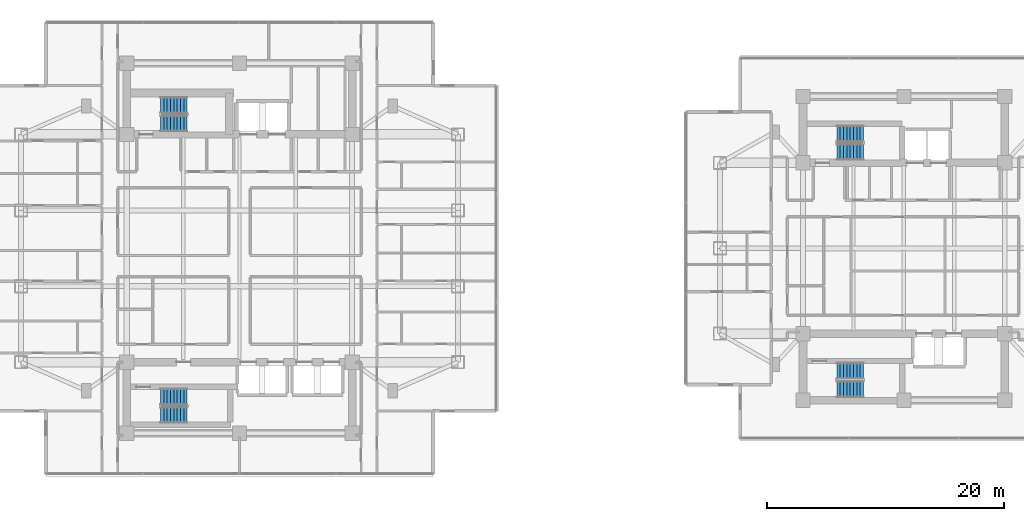
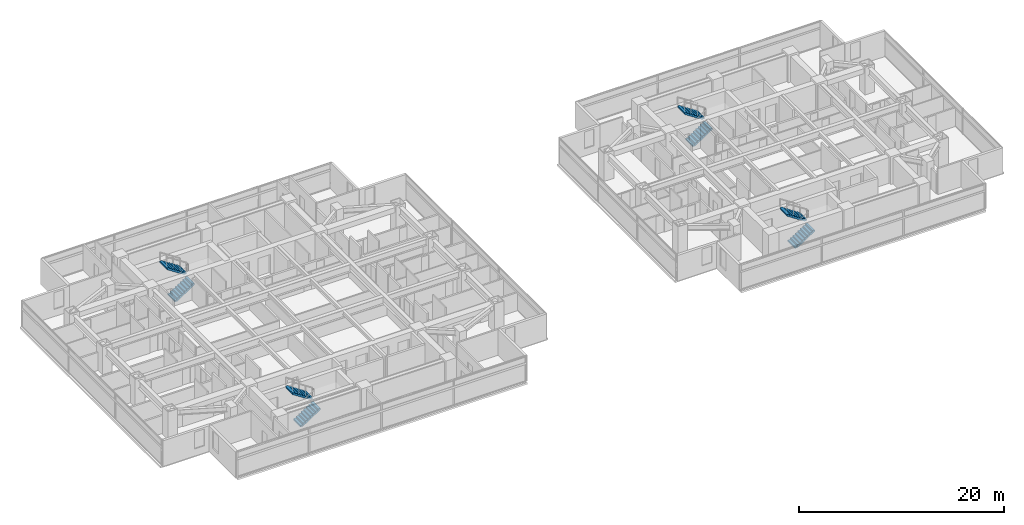
# One storey, part 19 of 25: 8 stair flights, 4 elements without a shape of their own.
"""IFC4 building model written with IfcOpenShell, lengths in metres."""

from ifc_helpers import new_model, si_unit, direction, frame, origin, place, context, subcontext, project, spatial, polyline, outline, extrude, material, type_object, element, aggregate, save


model = new_model("IFC4")

# Units and contexts
model_context = context("Model", 3, precision=1e-05, world=origin(), true_north=direction((0.0, 1.0)))
body_context = subcontext(model_context, "Body", "Model", "MODEL_VIEW")
ifc_project = project(units=[si_unit("LENGTHUNIT", "METRE"), si_unit("AREAUNIT", "SQUARE_METRE"), si_unit("VOLUMEUNIT", "CUBIC_METRE"), si_unit("PLANEANGLEUNIT", "RADIAN"), si_unit("MASSUNIT", "GRAM", prefix="KILO")], contexts=[model_context])

# Site, building, storey
site_placement = place(None, origin())
site = spatial("IfcSite", under=ifc_project, at=site_placement, CompositionType="ELEMENT")
building_placement = place(site_placement, origin())
building = spatial("IfcBuilding", under=site, at=building_placement, Name="Mirazonda Arch Towers", CompositionType="ELEMENT")
storey_placement = place(building_placement, frame((0.0, 0.0, 104.89990234375)))
storey = spatial("IfcBuildingStorey", under=building, at=storey_placement, Name="L29", CompositionType="ELEMENT", Elevation=104.89990234375)

# Stair, stair flights
ifc_material = material(Name="Concrete C40/50", Category="concrete")
stair_type = type_object("IfcStairType", Name="STAIR-CORE-1400", PredefinedType="HALF_TURN_STAIR", material=ifc_material)
stair_1_placement = place(storey_placement, origin())
stair_1 = element("IfcStair", 1, at=stair_1_placement, inside=storey, type_object=stair_type, Name="L29 Protected Exit Stair ST-T1N", PredefinedType="HALF_TURN_STAIR")
stair_flight_type = type_object("IfcStairFlightType", Name="FLIGHT-1400", PredefinedType="STRAIGHT", material=ifc_material)
stair_flight_1_placement = place(storey_placement, frame((13.85009765625, 38.52001953125, 0.0), z_axis=(0.0, 0.0, 1.0), x_axis=(1.0, 0.0, 0.0)))
stair_flight_1 = element("IfcStairFlight", 2, at=stair_flight_1_placement, type_object=stair_flight_type, Name="ST-T1N flight 1", NumberOfRisers=9, NumberOfTreads=8, PredefinedType="STRAIGHT", RiserHeight=0.183333333, TreadLength=0.28, context=body_context, shape_type="SweptSolid", body=[
    extrude(outline(polyline([(0.0, 0.0), (0.0, 0.183349609375), (0.280029296875, 0.183349609375), (0.280029296875, 0.36669921875), (0.56005859375, 0.36669921875), (0.56005859375, 0.550048828125), (0.840087890625, 0.550048828125), (0.840087890625, 0.7333984375), (1.1201171875, 0.7333984375), (1.1201171875, 0.916748046875), (1.39990234375, 0.916748046875), (1.39990234375, 1.10009765625), (1.679931640625, 1.10009765625), (1.679931640625, 1.283447265625), (1.9599609375, 1.283447265625), (1.9599609375, 1.466552734375), (2.239990234375, 1.466552734375), (2.239990234375, 1.64990234375), (2.239990234375, 1.275634765625), (0.2919921875, 0.0), (0.0, 0.0)])), frame((0.0, 0.699951171875, 0.0), z_axis=(0.0, -1.0, 0.0), x_axis=(1.0, 0.0, 0.0)), (0.0, 0.0, 1.0), 1.39990234375),
])
stair_flight_2_placement = place(storey_placement, frame((16.090087890625, 40.06005859375, 1.650146484375), z_axis=(0.0, 0.0, 1.0), x_axis=(-1.0, 0.0, 0.0)))
stair_flight_2 = element("IfcStairFlight", 3, at=stair_flight_2_placement, type_object=stair_flight_type, Name="ST-T1N flight 2", NumberOfRisers=9, NumberOfTreads=8, PredefinedType="STRAIGHT", RiserHeight=0.183333333, TreadLength=0.28, context=body_context, shape_type="SweptSolid", body=[
    extrude(outline(polyline([(0.0, 0.0), (0.0, 0.183349609375), (0.280029296875, 0.183349609375), (0.280029296875, 0.36669921875), (0.56005859375, 0.36669921875), (0.56005859375, 0.550048828125), (0.840087890625, 0.550048828125), (0.840087890625, 0.7333984375), (1.1201171875, 0.7333984375), (1.1201171875, 0.916748046875), (1.39990234375, 0.916748046875), (1.39990234375, 1.10009765625), (1.679931640625, 1.10009765625), (1.679931640625, 1.283447265625), (1.9599609375, 1.283447265625), (1.9599609375, 1.466552734375), (2.239990234375, 1.466552734375), (2.239990234375, 1.64990234375), (2.239990234375, 1.275634765625), (0.2919921875, 0.0), (0.0, 0.0)])), frame((0.0, 0.699951171875, 0.0), z_axis=(0.0, -1.0, 0.0), x_axis=(1.0, 0.0, 0.0)), (0.0, 0.0, 1.0), 1.39990234375),
])
aggregate(stair_1, [stair_flight_1, stair_flight_2])

stair_2_placement = place(storey_placement, origin())
stair_2 = element("IfcStair", 4, at=stair_2_placement, inside=storey, type_object=stair_type, Name="L29 Protected Exit Stair ST-T1S", PredefinedType="HALF_TURN_STAIR")
stair_flight_3_placement = place(storey_placement, frame((13.85009765625, 13.949951171875, 0.0), z_axis=(0.0, 0.0, 1.0), x_axis=(1.0, 0.0, 0.0)))
stair_flight_3 = element("IfcStairFlight", 5, at=stair_flight_3_placement, type_object=stair_flight_type, Name="ST-T1S flight 1", NumberOfRisers=9, NumberOfTreads=8, PredefinedType="STRAIGHT", RiserHeight=0.183333333, TreadLength=0.28, context=body_context, shape_type="SweptSolid", body=[
    extrude(outline(polyline([(0.0, 0.0), (0.0, 0.183349609375), (0.280029296875, 0.183349609375), (0.280029296875, 0.36669921875), (0.56005859375, 0.36669921875), (0.56005859375, 0.550048828125), (0.840087890625, 0.550048828125), (0.840087890625, 0.7333984375), (1.1201171875, 0.7333984375), (1.1201171875, 0.916748046875), (1.39990234375, 0.916748046875), (1.39990234375, 1.10009765625), (1.679931640625, 1.10009765625), (1.679931640625, 1.283447265625), (1.9599609375, 1.283447265625), (1.9599609375, 1.466552734375), (2.239990234375, 1.466552734375), (2.239990234375, 1.64990234375), (2.239990234375, 1.275634765625), (0.2919921875, 0.0), (0.0, 0.0)])), frame((0.0, 0.699951171875, 0.0), z_axis=(0.0, -1.0, 0.0), x_axis=(1.0, 0.0, 0.0)), (0.0, 0.0, 1.0), 1.39990234375),
])
stair_flight_4_placement = place(storey_placement, frame((16.090087890625, 15.489990234375, 1.650146484375), z_axis=(0.0, 0.0, 1.0), x_axis=(-1.0, 0.0, 0.0)))
stair_flight_4 = element("IfcStairFlight", 6, at=stair_flight_4_placement, type_object=stair_flight_type, Name="ST-T1S flight 2", NumberOfRisers=9, NumberOfTreads=8, PredefinedType="STRAIGHT", RiserHeight=0.183333333, TreadLength=0.28, context=body_context, shape_type="SweptSolid", body=[
    extrude(outline(polyline([(0.0, 0.0), (0.0, 0.183349609375), (0.280029296875, 0.183349609375), (0.280029296875, 0.36669921875), (0.56005859375, 0.36669921875), (0.56005859375, 0.550048828125), (0.840087890625, 0.550048828125), (0.840087890625, 0.7333984375), (1.1201171875, 0.7333984375), (1.1201171875, 0.916748046875), (1.39990234375, 0.916748046875), (1.39990234375, 1.10009765625), (1.679931640625, 1.10009765625), (1.679931640625, 1.283447265625), (1.9599609375, 1.283447265625), (1.9599609375, 1.466552734375), (2.239990234375, 1.466552734375), (2.239990234375, 1.64990234375), (2.239990234375, 1.275634765625), (0.2919921875, 0.0), (0.0, 0.0)])), frame((0.0, 0.699951171875, 0.0), z_axis=(0.0, -1.0, 0.0), x_axis=(1.0, 0.0, 0.0)), (0.0, 0.0, 1.0), 1.39990234375),
])
aggregate(stair_2, [stair_flight_3, stair_flight_4])

stair_3_placement = place(storey_placement, origin())
stair_3 = element("IfcStair", 7, at=stair_3_placement, inside=storey, type_object=stair_type, Name="L29 Protected Exit Stair ST-T2N", PredefinedType="HALF_TURN_STAIR")
stair_flight_5_placement = place(storey_placement, frame((70.85009765625, 36.1201171875, 0.0), z_axis=(0.0, 0.0, 1.0), x_axis=(1.0, 0.0, 0.0)))
stair_flight_5 = element("IfcStairFlight", 8, at=stair_flight_5_placement, type_object=stair_flight_type, Name="ST-T2N flight 1", NumberOfRisers=9, NumberOfTreads=8, PredefinedType="STRAIGHT", RiserHeight=0.183333333, TreadLength=0.28, context=body_context, shape_type="SweptSolid", body=[
    extrude(outline(polyline([(0.0, 0.0), (0.0, 0.183349609375), (0.280029296875, 0.183349609375), (0.280029296875, 0.36669921875), (0.56005859375, 0.36669921875), (0.56005859375, 0.550048828125), (0.840087890625, 0.550048828125), (0.840087890625, 0.7333984375), (1.1201171875, 0.7333984375), (1.1201171875, 0.916748046875), (1.39990234375, 0.916748046875), (1.39990234375, 1.10009765625), (1.679931640625, 1.10009765625), (1.679931640625, 1.283447265625), (1.9599609375, 1.283447265625), (1.9599609375, 1.466552734375), (2.239990234375, 1.466552734375), (2.239990234375, 1.64990234375), (2.239990234375, 1.275634765625), (0.2919921875, 0.0), (0.0, 0.0)])), frame((0.0, 0.699951171875, 0.0), z_axis=(0.0, -1.0, 0.0), x_axis=(1.0, 0.0, 0.0)), (0.0, 0.0, 1.0), 1.39990234375),
])
stair_flight_6_placement = place(storey_placement, frame((73.090087890625, 37.659912109375, 1.650146484375), z_axis=(0.0, 0.0, 1.0), x_axis=(-1.0, 0.0, 0.0)))
stair_flight_6 = element("IfcStairFlight", 9, at=stair_flight_6_placement, type_object=stair_flight_type, Name="ST-T2N flight 2", NumberOfRisers=9, NumberOfTreads=8, PredefinedType="STRAIGHT", RiserHeight=0.183333333, TreadLength=0.28, context=body_context, shape_type="SweptSolid", body=[
    extrude(outline(polyline([(0.0, 0.0), (0.0, 0.183349609375), (0.280029296875, 0.183349609375), (0.280029296875, 0.36669921875), (0.56005859375, 0.36669921875), (0.56005859375, 0.550048828125), (0.840087890625, 0.550048828125), (0.840087890625, 0.7333984375), (1.1201171875, 0.7333984375), (1.1201171875, 0.916748046875), (1.39990234375, 0.916748046875), (1.39990234375, 1.10009765625), (1.679931640625, 1.10009765625), (1.679931640625, 1.283447265625), (1.9599609375, 1.283447265625), (1.9599609375, 1.466552734375), (2.239990234375, 1.466552734375), (2.239990234375, 1.64990234375), (2.239990234375, 1.275634765625), (0.2919921875, 0.0), (0.0, 0.0)])), frame((0.0, 0.699951171875, 0.0), z_axis=(0.0, -1.0, 0.0), x_axis=(1.0, 0.0, 0.0)), (0.0, 0.0, 1.0), 1.39990234375),
])
aggregate(stair_3, [stair_flight_5, stair_flight_6])

stair_4_placement = place(storey_placement, origin())
stair_4 = element("IfcStair", 10, at=stair_4_placement, inside=storey, type_object=stair_type, Name="L29 Protected Exit Stair ST-T2S", PredefinedType="HALF_TURN_STAIR")
stair_flight_7_placement = place(storey_placement, frame((70.85009765625, 16.1201171875, 0.0), z_axis=(0.0, 0.0, 1.0), x_axis=(1.0, 0.0, 0.0)))
stair_flight_7 = element("IfcStairFlight", 11, at=stair_flight_7_placement, type_object=stair_flight_type, Name="ST-T2S flight 1", NumberOfRisers=9, NumberOfTreads=8, PredefinedType="STRAIGHT", RiserHeight=0.183333333, TreadLength=0.28, context=body_context, shape_type="SweptSolid", body=[
    extrude(outline(polyline([(0.0, 0.0), (0.0, 0.183349609375), (0.280029296875, 0.183349609375), (0.280029296875, 0.36669921875), (0.56005859375, 0.36669921875), (0.56005859375, 0.550048828125), (0.840087890625, 0.550048828125), (0.840087890625, 0.7333984375), (1.1201171875, 0.7333984375), (1.1201171875, 0.916748046875), (1.39990234375, 0.916748046875), (1.39990234375, 1.10009765625), (1.679931640625, 1.10009765625), (1.679931640625, 1.283447265625), (1.9599609375, 1.283447265625), (1.9599609375, 1.466552734375), (2.239990234375, 1.466552734375), (2.239990234375, 1.64990234375), (2.239990234375, 1.275634765625), (0.2919921875, 0.0), (0.0, 0.0)])), frame((0.0, 0.699951171875, 0.0), z_axis=(0.0, -1.0, 0.0), x_axis=(1.0, 0.0, 0.0)), (0.0, 0.0, 1.0), 1.39990234375),
])
stair_flight_8_placement = place(storey_placement, frame((73.090087890625, 17.659912109375, 1.650146484375), z_axis=(0.0, 0.0, 1.0), x_axis=(-1.0, 0.0, 0.0)))
stair_flight_8 = element("IfcStairFlight", 12, at=stair_flight_8_placement, type_object=stair_flight_type, Name="ST-T2S flight 2", NumberOfRisers=9, NumberOfTreads=8, PredefinedType="STRAIGHT", RiserHeight=0.183333333, TreadLength=0.28, context=body_context, shape_type="SweptSolid", body=[
    extrude(outline(polyline([(0.0, 0.0), (0.0, 0.183349609375), (0.280029296875, 0.183349609375), (0.280029296875, 0.36669921875), (0.56005859375, 0.36669921875), (0.56005859375, 0.550048828125), (0.840087890625, 0.550048828125), (0.840087890625, 0.7333984375), (1.1201171875, 0.7333984375), (1.1201171875, 0.916748046875), (1.39990234375, 0.916748046875), (1.39990234375, 1.10009765625), (1.679931640625, 1.10009765625), (1.679931640625, 1.283447265625), (1.9599609375, 1.283447265625), (1.9599609375, 1.466552734375), (2.239990234375, 1.466552734375), (2.239990234375, 1.64990234375), (2.239990234375, 1.275634765625), (0.2919921875, 0.0), (0.0, 0.0)])), frame((0.0, 0.699951171875, 0.0), z_axis=(0.0, -1.0, 0.0), x_axis=(1.0, 0.0, 0.0)), (0.0, 0.0, 1.0), 1.39990234375),
])
aggregate(stair_4, [stair_flight_7, stair_flight_8])

save(model, "model.ifc")
